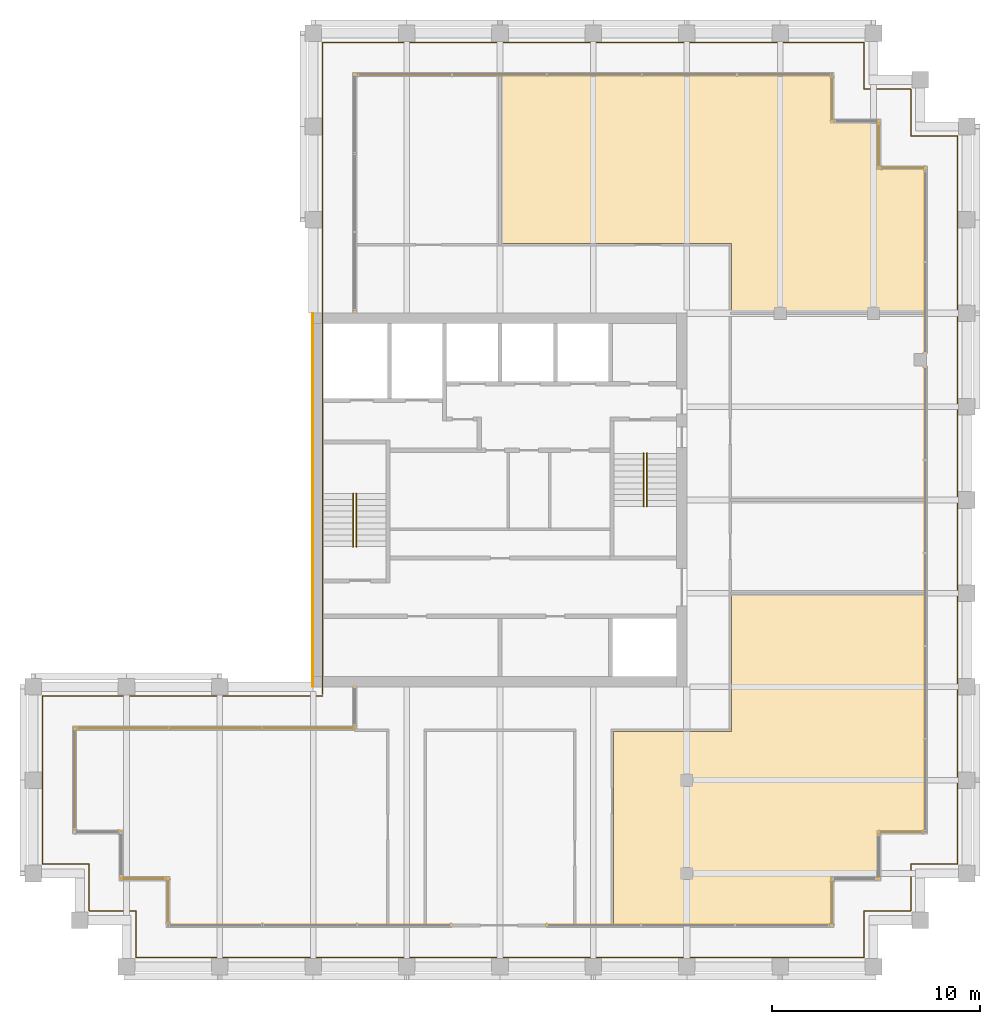
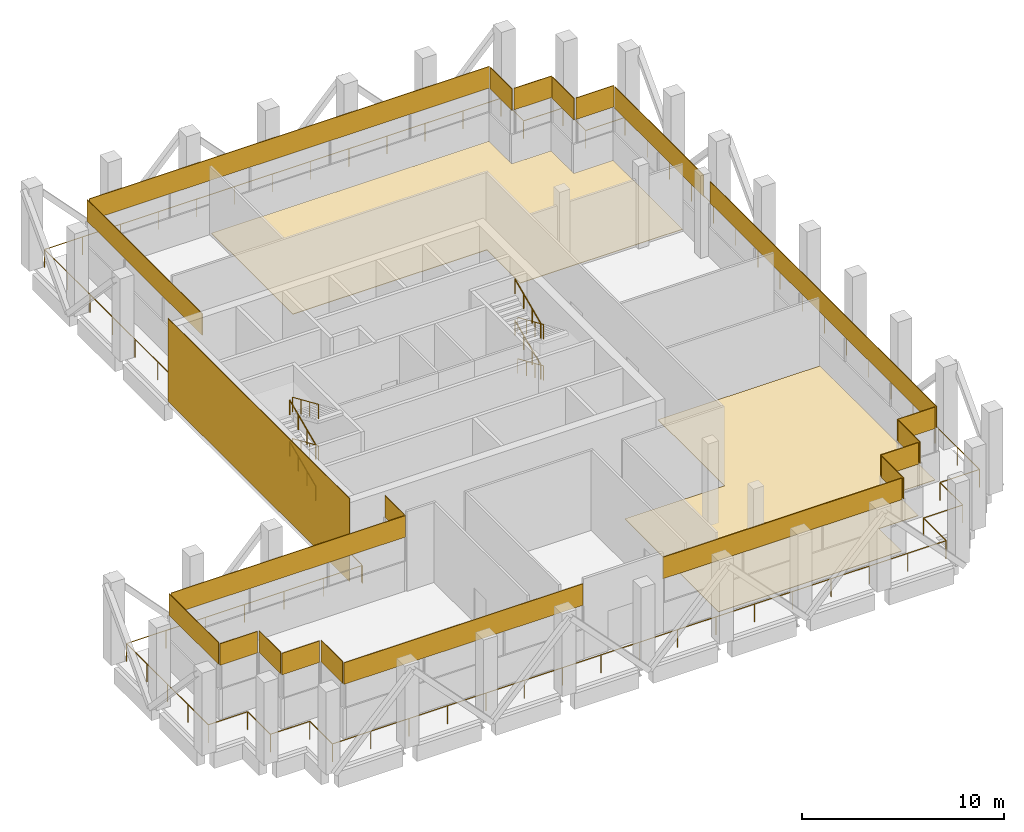
# One storey, part 21 of 21: 24 coverings, 9 railings.
"""IFC4 building model written with IfcOpenShell, lengths in metres."""

from ifc_helpers import new_model, si_unit, direction, frame, origin, origin_2d, place, context, subcontext, project, spatial, polyline, rectangle, circle, outline, extrude, source, transform, mapped, material, layer, layer_set, type_object, element, save


model = new_model("IFC4")

# Units and contexts
model_context = context("Model", 3, precision=1e-05, world=origin(), true_north=direction((0.0, 1.0)))
body_context = subcontext(model_context, "Body", "Model", "MODEL_VIEW")
ifc_project = project(units=[si_unit("LENGTHUNIT", "METRE"), si_unit("AREAUNIT", "SQUARE_METRE"), si_unit("VOLUMEUNIT", "CUBIC_METRE"), si_unit("PLANEANGLEUNIT", "RADIAN"), si_unit("MASSUNIT", "GRAM", prefix="KILO")], contexts=[model_context])

# Site, building, storey
site_placement = place(None, origin())
site = spatial("IfcSite", under=ifc_project, at=site_placement, CompositionType="ELEMENT")
building_placement = place(site_placement, origin())
building = spatial("IfcBuilding", under=site, at=building_placement, Name="Altepetl Exchange Towers", CompositionType="ELEMENT")
storey_placement = place(building_placement, frame((0.0, 0.0, 246.0)))
storey = spatial("IfcBuildingStorey", under=building, at=storey_placement, Name="L63 Refuge", CompositionType="ELEMENT", Elevation=246.0)

# Coverings
ifc_material_1 = material(Name="Cantera stone", Category="masonry")
ifc_layer_1 = layer(ifc_material_1, 0.030029296875)
ifc_layer_set_1 = layer_set([ifc_layer_1], Name="Cantera stone")
covering_type_1 = type_object("IfcCoveringType", Name="Polished stone floor", PredefinedType="FLOORING", material=ifc_layer_set_1)
covering_1_placement = place(storey_placement, origin())
element("IfcCovering", 1, at=covering_1_placement, inside=storey, type_object=covering_type_1, Name="Refuge area floor finish A63.03", PredefinedType="FLOORING", context=body_context, shape_type="SweptSolid", body=[
    extrude(outline(polyline([(69.9375, 44.9375), (60.66259765625, 44.9375), (60.66259765625, 38.33740234375), (54.96240234375, 38.33740234375), (54.96240234375, 29.0625), (65.4375, 29.0625), (65.4375, 31.3125), (67.6875, 31.3125), (67.6875, 33.5625), (69.9375, 33.5625), (69.9375, 44.9375)])), origin(), (0.0, 0.0, 1.0), 0.030029296875),
])
covering_2_placement = place(storey_placement, origin())
element("IfcCovering", 2, at=covering_2_placement, inside=storey, type_object=covering_type_1, Name="Refuge area floor finish A63.06", PredefinedType="FLOORING", context=body_context, shape_type="SweptSolid", body=[
    extrude(outline(polyline([(69.9375, 58.5625), (69.9375, 65.4375), (67.6875, 65.4375), (67.6875, 67.6875), (65.4375, 67.6875), (65.4375, 69.9375), (49.5625, 69.9375), (49.5625, 61.862548828125), (60.66259765625, 61.862548828125), (60.66259765625, 58.5625), (69.9375, 58.5625)])), origin(), (0.0, 0.0, 1.0), 0.030029296875),
])
ifc_material_2 = material(Name="Cantera limestone cladding", Category="masonry")
ifc_layer_2 = layer(ifc_material_2, 0.0400390625)
ifc_layer_set_2 = layer_set([ifc_layer_2], Name="Cantera limestone cladding")
covering_type_2 = type_object("IfcCoveringType", Name="Stone panel 40 cantera", PredefinedType="CLADDING", material=ifc_layer_set_2)
covering_3_placement = place(storey_placement, frame((42.5, 39.550048828125, 3.2001953125), z_axis=(0.0, 0.0, 1.0), x_axis=(0.0, -1.0, 0.0)))
element("IfcCovering", 3, at=covering_3_placement, inside=storey, type_object=covering_type_2, Name="Stone cladding band", PredefinedType="CLADDING", context=body_context, shape_type="SweptSolid", body=[
    extrude(rectangle(XDim=1.89990234375, YDim=0.0400390625, at=origin_2d()), origin(), (0.0, 0.0, 1.0), 1.300048828125),
])
covering_4_placement = place(storey_placement, frame((35.800048828125, 38.5, 3.2001953125), z_axis=(0.0, 0.0, 1.0), x_axis=(-1.0, 0.0, 0.0)))
element("IfcCovering", 4, at=covering_4_placement, inside=storey, type_object=covering_type_2, Name="Stone cladding band", PredefinedType="CLADDING", context=body_context, shape_type="SweptSolid", body=[
    extrude(rectangle(XDim=13.39990234375, YDim=0.0400390625, at=origin_2d()), origin(), (0.0, 0.0, 1.0), 1.300048828125),
])
covering_5_placement = place(storey_placement, frame((29.0, 36.050048828125, 3.2001953125), z_axis=(0.0, 0.0, 1.0), x_axis=(0.0, -1.0, 0.0)))
element("IfcCovering", 5, at=covering_5_placement, inside=storey, type_object=covering_type_2, Name="Stone cladding band", PredefinedType="CLADDING", context=body_context, shape_type="SweptSolid", body=[
    extrude(rectangle(XDim=4.89990234375, YDim=0.0400390625, at=origin_2d()), origin(), (0.0, 0.0, 1.0), 1.300048828125),
])
covering_6_placement = place(storey_placement, frame((30.074951171875, 33.5, 3.2001953125)))
element("IfcCovering", 6, at=covering_6_placement, inside=storey, type_object=covering_type_2, Name="Stone cladding band", PredefinedType="CLADDING", context=body_context, shape_type="SweptSolid", body=[
    extrude(rectangle(XDim=2.14990234375, YDim=0.0400390625, at=origin_2d()), origin(), (0.0, 0.0, 1.0), 1.300048828125),
])
covering_7_placement = place(storey_placement, frame((31.25, 32.425048828125, 3.2001953125), z_axis=(0.0, 0.0, 1.0), x_axis=(0.0, -1.0, 0.0)))
element("IfcCovering", 7, at=covering_7_placement, inside=storey, type_object=covering_type_2, Name="Stone cladding band", PredefinedType="CLADDING", context=body_context, shape_type="SweptSolid", body=[
    extrude(rectangle(XDim=2.14990234375, YDim=0.0400390625, at=origin_2d()), origin(), (0.0, 0.0, 1.0), 1.300048828125),
])
covering_8_placement = place(storey_placement, frame((32.324951171875, 31.25, 3.2001953125)))
element("IfcCovering", 8, at=covering_8_placement, inside=storey, type_object=covering_type_2, Name="Stone cladding band", PredefinedType="CLADDING", context=body_context, shape_type="SweptSolid", body=[
    extrude(rectangle(XDim=2.14990234375, YDim=0.0400390625, at=origin_2d()), origin(), (0.0, 0.0, 1.0), 1.300048828125),
])
covering_9_placement = place(storey_placement, frame((33.5, 30.175048828125, 3.2001953125), z_axis=(0.0, 0.0, 1.0), x_axis=(0.0, -1.0, 0.0)))
element("IfcCovering", 9, at=covering_9_placement, inside=storey, type_object=covering_type_2, Name="Stone cladding band", PredefinedType="CLADDING", context=body_context, shape_type="SweptSolid", body=[
    extrude(rectangle(XDim=2.14990234375, YDim=0.0400390625, at=origin_2d()), origin(), (0.0, 0.0, 1.0), 1.300048828125),
])
for number, where, name in (
    (10, (40.335693359375, 29.0, 3.2001953125), "Stone cladding band"),
    (11, (58.564208984375, 29.0, 3.2001953125), "Stone cladding band"),
):
    element("IfcCovering", number, at=place(storey_placement, frame(where)), inside=storey, type_object=covering_type_2, Name=name, PredefinedType="CLADDING", context=body_context, shape_type="SweptSolid", body=[
        extrude(rectangle(XDim=13.67138671875, YDim=0.0400390625, at=origin_2d()), origin(), (0.0, 0.0, 1.0), 1.300048828125),
    ])
covering_10_placement = place(storey_placement, frame((65.5, 30.074951171875, 3.2001953125), z_axis=(0.0, 0.0, 1.0), x_axis=(0.0, 1.0, 0.0)))
element("IfcCovering", 12, at=covering_10_placement, inside=storey, type_object=covering_type_2, Name="Stone cladding band", PredefinedType="CLADDING", context=body_context, shape_type="SweptSolid", body=[
    extrude(rectangle(XDim=2.14990234375, YDim=0.0400390625, at=origin_2d()), origin(), (0.0, 0.0, 1.0), 1.300048828125),
])
covering_11_placement = place(storey_placement, frame((66.574951171875, 31.25, 3.2001953125)))
element("IfcCovering", 13, at=covering_11_placement, inside=storey, type_object=covering_type_2, Name="Stone cladding band", PredefinedType="CLADDING", context=body_context, shape_type="SweptSolid", body=[
    extrude(rectangle(XDim=2.14990234375, YDim=0.0400390625, at=origin_2d()), origin(), (0.0, 0.0, 1.0), 1.300048828125),
])
covering_12_placement = place(storey_placement, frame((67.75, 32.324951171875, 3.2001953125), z_axis=(0.0, 0.0, 1.0), x_axis=(0.0, 1.0, 0.0)))
element("IfcCovering", 14, at=covering_12_placement, inside=storey, type_object=covering_type_2, Name="Stone cladding band", PredefinedType="CLADDING", context=body_context, shape_type="SweptSolid", body=[
    extrude(rectangle(XDim=2.14990234375, YDim=0.0400390625, at=origin_2d()), origin(), (0.0, 0.0, 1.0), 1.300048828125),
])
covering_13_placement = place(storey_placement, frame((68.824951171875, 33.5, 3.2001953125)))
element("IfcCovering", 15, at=covering_13_placement, inside=storey, type_object=covering_type_2, Name="Stone cladding band", PredefinedType="CLADDING", context=body_context, shape_type="SweptSolid", body=[
    extrude(rectangle(XDim=2.14990234375, YDim=0.0400390625, at=origin_2d()), origin(), (0.0, 0.0, 1.0), 1.300048828125),
])
covering_14_placement = place(storey_placement, frame((70.0, 44.715087890625, 3.2001953125), z_axis=(0.0, 0.0, 1.0), x_axis=(0.0, 1.0, 0.0)))
element("IfcCovering", 16, at=covering_14_placement, inside=storey, type_object=covering_type_2, Name="Stone cladding band", PredefinedType="CLADDING", context=body_context, shape_type="SweptSolid", body=[
    extrude(rectangle(XDim=22.429931640625, YDim=0.0400390625, at=origin_2d()), origin(), (0.0, 0.0, 1.0), 1.300048828125),
])
covering_15_placement = place(storey_placement, frame((70.0, 60.985107421875, 3.2001953125), z_axis=(0.0, 0.0, 1.0), x_axis=(0.0, 1.0, 0.0)))
element("IfcCovering", 17, at=covering_15_placement, inside=storey, type_object=covering_type_2, Name="Stone cladding band", PredefinedType="CLADDING", context=body_context, shape_type="SweptSolid", body=[
    extrude(rectangle(XDim=8.830078125, YDim=0.0400390625, at=origin_2d()), origin(), (0.0, 0.0, 1.0), 1.300048828125),
])
for number, where, z_axis, x_axis, name in (
    (18, (68.925048828125, 65.5, 3.2001953125), (0.0, 0.0, 1.0), (-1.0, 0.0, 0.0), "Stone cladding band"),
    (19, (67.75, 66.574951171875, 3.2001953125), (0.0, 0.0, 1.0), (0.0, 1.0, 0.0), "Stone cladding band"),
    (20, (66.675048828125, 67.75, 3.2001953125), (0.0, 0.0, 1.0), (-1.0, 0.0, 0.0), "Stone cladding band"),
    (21, (65.5, 68.824951171875, 3.2001953125), (0.0, 0.0, 1.0), (0.0, 1.0, 0.0), "Stone cladding band"),
):
    element("IfcCovering", number, at=place(storey_placement, frame(where, z_axis=z_axis, x_axis=x_axis)), inside=storey, type_object=covering_type_2, Name=name, PredefinedType="CLADDING", context=body_context, shape_type="SweptSolid", body=[
        extrude(rectangle(XDim=2.14990234375, YDim=0.0400390625, at=origin_2d()), origin(), (0.0, 0.0, 1.0), 1.300048828125),
    ])
covering_16_placement = place(storey_placement, frame((54.050048828125, 70.0, 3.2001953125), z_axis=(0.0, 0.0, 1.0), x_axis=(-1.0, 0.0, 0.0)))
element("IfcCovering", 22, at=covering_16_placement, inside=storey, type_object=covering_type_2, Name="Stone cladding band", PredefinedType="CLADDING", context=body_context, shape_type="SweptSolid", body=[
    extrude(rectangle(XDim=22.89990234375, YDim=0.0400390625, at=origin_2d()), origin(), (0.0, 0.0, 1.0), 1.300048828125),
])
covering_17_placement = place(storey_placement, frame((42.5, 64.300048828125, 3.2001953125), z_axis=(0.0, 0.0, 1.0), x_axis=(0.0, -1.0, 0.0)))
element("IfcCovering", 23, at=covering_17_placement, inside=storey, type_object=covering_type_2, Name="Stone cladding band", PredefinedType="CLADDING", context=body_context, shape_type="SweptSolid", body=[
    extrude(rectangle(XDim=11.39990234375, YDim=0.0400390625, at=origin_2d()), origin(), (0.0, 0.0, 1.0), 1.300048828125),
])
covering_18_placement = place(storey_placement, frame((40.47998046875, 49.5, 0.0), z_axis=(0.0, 0.0, 1.0), x_axis=(0.0, -1.0, 0.0)))
element("IfcCovering", 24, at=covering_18_placement, inside=storey, type_object=covering_type_2, Name="Stone cladding panel", PredefinedType="CLADDING", context=body_context, shape_type="SweptSolid", body=[
    extrude(rectangle(XDim=18.0, YDim=0.0400390625, at=origin_2d()), origin(), (0.0, 0.0, 1.0), 5.0),
])

# Railings
ifc_material_3 = material(Name="Steel S355", Category="steel")
railing_type_1 = type_object("IfcRailingType", Name="Guard 1100 steel posts and rail", PredefinedType="GUARDRAIL", material=ifc_material_3)
shared_shape_1 = source(origin(), body_context, "Body", "SweptSolid", [
    extrude(circle(Radius=0.02099609375, at=origin_2d()), origin(), (0.0, 0.0, 1.0), 1.052001953125),
])
railing_1_placement = place(storey_placement, frame((40.949951171875, 40.050048828125, 0.0)))
element("IfcRailing", 25, at=railing_1_placement, inside=storey, type_object=railing_type_1, Name="Loggia guard", PredefinedType="GUARDRAIL", context=body_context, shape_type="SweptSolid", body=[
    extrude(circle(Radius=0.02392578125, at=origin_2d()), frame((0.0, 0.0, 1.076171875), z_axis=(-1.0, 0.0, 0.0), x_axis=(0.0, -1.0, 0.0)), (0.0, 0.0, 1.0), 13.5),
    extrude(circle(Radius=0.02392578125, at=origin_2d()), frame((-13.5, 0.0, 1.076171875), z_axis=(0.0, -1.0, 0.0), x_axis=(1.0, 0.0, 0.0)), (0.0, 0.0, 1.0), 8.10009765625),
    extrude(circle(Radius=0.02392578125, at=origin_2d()), frame((-13.5, -8.10009765625, 1.076171875), z_axis=(1.0, 0.0, 0.0), x_axis=(0.0, 1.0, 0.0)), (0.0, 0.0, 1.0), 2.25),
    extrude(circle(Radius=0.02392578125, at=origin_2d()), frame((-11.25, -8.10009765625, 1.076171875), z_axis=(0.0, -1.0, 0.0), x_axis=(1.0, 0.0, 0.0)), (0.0, 0.0, 1.0), 2.25),
    extrude(circle(Radius=0.02392578125, at=origin_2d()), frame((-11.25, -10.35009765625, 1.076171875), z_axis=(1.0, 0.0, 0.0), x_axis=(0.0, 1.0, 0.0)), (0.0, 0.0, 1.0), 2.25),
    extrude(circle(Radius=0.02392578125, at=origin_2d()), frame((-9.0, -10.35009765625, 1.076171875), z_axis=(0.0, -1.0, 0.0), x_axis=(1.0, 0.0, 0.0)), (0.0, 0.0, 1.0), 2.25),
    extrude(circle(Radius=0.02392578125, at=origin_2d()), frame((-9.0, -12.60009765625, 1.076171875), z_axis=(1.0, 0.0, 0.0), x_axis=(0.0, 1.0, 0.0)), (0.0, 0.0, 1.0), 35.10009765625),
    extrude(circle(Radius=0.02392578125, at=origin_2d()), frame((26.10009765625, -12.60009765625, 1.076171875), z_axis=(0.0, 1.0, 0.0), x_axis=(-1.0, 0.0, 0.0)), (0.0, 0.0, 1.0), 2.25),
    extrude(circle(Radius=0.02392578125, at=origin_2d()), frame((26.10009765625, -10.35009765625, 1.076171875), z_axis=(1.0, 0.0, 0.0), x_axis=(0.0, 1.0, 0.0)), (0.0, 0.0, 1.0), 2.25),
    extrude(circle(Radius=0.02392578125, at=origin_2d()), frame((28.35009765625, -10.35009765625, 1.076171875), z_axis=(0.0, 1.0, 0.0), x_axis=(-1.0, 0.0, 0.0)), (0.0, 0.0, 1.0), 2.25),
    extrude(circle(Radius=0.02392578125, at=origin_2d()), frame((28.35009765625, -8.10009765625, 1.076171875), z_axis=(1.0, 0.0, 0.0), x_axis=(0.0, 1.0, 0.0)), (0.0, 0.0, 1.0), 2.25),
    extrude(circle(Radius=0.02392578125, at=origin_2d()), frame((30.60009765625, -8.10009765625, 1.076171875), z_axis=(0.0, 1.0, 0.0), x_axis=(-1.0, 0.0, 0.0)), (0.0, 0.0, 1.0), 35.10009765625),
    extrude(circle(Radius=0.02392578125, at=origin_2d()), frame((30.60009765625, 27.0, 1.076171875), z_axis=(-1.0, 0.0, 0.0), x_axis=(0.0, -1.0, 0.0)), (0.0, 0.0, 1.0), 2.25),
    extrude(circle(Radius=0.02392578125, at=origin_2d()), frame((28.35009765625, 27.0, 1.076171875), z_axis=(0.0, 1.0, 0.0), x_axis=(-1.0, 0.0, 0.0)), (0.0, 0.0, 1.0), 2.25),
    extrude(circle(Radius=0.02392578125, at=origin_2d()), frame((28.35009765625, 29.25, 1.076171875), z_axis=(-1.0, 0.0, 0.0), x_axis=(0.0, -1.0, 0.0)), (0.0, 0.0, 1.0), 2.25),
    extrude(circle(Radius=0.02392578125, at=origin_2d()), frame((26.10009765625, 29.25, 1.076171875), z_axis=(0.0, 1.0, 0.0), x_axis=(-1.0, 0.0, 0.0)), (0.0, 0.0, 1.0), 2.25),
    extrude(circle(Radius=0.02392578125, at=origin_2d()), frame((26.10009765625, 31.5, 1.076171875), z_axis=(-1.0, 0.0, 0.0), x_axis=(0.0, -1.0, 0.0)), (0.0, 0.0, 1.0), 26.10009765625),
    extrude(circle(Radius=0.02392578125, at=origin_2d()), frame((0.0, 31.5, 1.076171875), z_axis=(0.0, -1.0, 0.0), x_axis=(1.0, 0.0, 0.0)), (0.0, 0.0, 1.0), 31.400146484375),
    mapped(shared_shape_1, transform((0.0, 0.0, 0.0))),
    mapped(shared_shape_1, transform((-2.25, 0.0, 0.0))),
    mapped(shared_shape_1, transform((-4.5, 0.0, 0.0))),
    mapped(shared_shape_1, transform((-6.75, 0.0, 0.0))),
    mapped(shared_shape_1, transform((-9.0, 0.0, 0.0))),
    mapped(shared_shape_1, transform((-11.25, 0.0, 0.0))),
    mapped(shared_shape_1, transform((-13.5, 0.0, 0.0))),
    mapped(shared_shape_1, transform((-13.5, -2.02490234375, 0.0))),
    mapped(shared_shape_1, transform((-13.5, -4.050048828125, 0.0))),
    mapped(shared_shape_1, transform((-13.5, -6.0751953125, 0.0))),
    mapped(shared_shape_1, transform((-13.5, -8.10009765625, 0.0))),
    mapped(shared_shape_1, transform((-11.25, -8.10009765625, 0.0))),
    mapped(shared_shape_1, transform((-11.25, -10.35009765625, 0.0))),
    mapped(shared_shape_1, transform((-9.0, -10.35009765625, 0.0))),
    mapped(shared_shape_1, transform((-9.0, -12.60009765625, 0.0))),
    mapped(shared_shape_1, transform((-6.80615234375, -12.60009765625, 0.0))),
    mapped(shared_shape_1, transform((-4.612548828125, -12.60009765625, 0.0))),
    mapped(shared_shape_1, transform((-2.418701171875, -12.60009765625, 0.0))),
    mapped(shared_shape_1, transform((-0.22509765625, -12.60009765625, 0.0))),
    mapped(shared_shape_1, transform((1.96875, -12.60009765625, 0.0))),
    mapped(shared_shape_1, transform((4.16259765625, -12.60009765625, 0.0))),
    mapped(shared_shape_1, transform((6.356201171875, -12.60009765625, 0.0))),
    mapped(shared_shape_1, transform((8.550048828125, -12.60009765625, 0.0))),
    mapped(shared_shape_1, transform((10.743896484375, -12.60009765625, 0.0))),
    mapped(shared_shape_1, transform((12.9375, -12.60009765625, 0.0))),
    mapped(shared_shape_1, transform((15.13134765625, -12.60009765625, 0.0))),
    mapped(shared_shape_1, transform((17.3251953125, -12.60009765625, 0.0))),
    mapped(shared_shape_1, transform((19.518798828125, -12.60009765625, 0.0))),
    mapped(shared_shape_1, transform((21.712646484375, -12.60009765625, 0.0))),
    mapped(shared_shape_1, transform((23.90625, -12.60009765625, 0.0))),
    mapped(shared_shape_1, transform((26.10009765625, -12.60009765625, 0.0))),
    mapped(shared_shape_1, transform((26.10009765625, -10.35009765625, 0.0))),
    mapped(shared_shape_1, transform((28.35009765625, -10.35009765625, 0.0))),
    mapped(shared_shape_1, transform((28.35009765625, -8.10009765625, 0.0))),
    mapped(shared_shape_1, transform((30.60009765625, -8.10009765625, 0.0))),
    mapped(shared_shape_1, transform((30.60009765625, -5.90625, 0.0))),
    mapped(shared_shape_1, transform((30.60009765625, -3.712646484375, 0.0))),
    mapped(shared_shape_1, transform((30.60009765625, -1.518798828125, 0.0))),
    mapped(shared_shape_1, transform((30.60009765625, 0.6748046875, 0.0))),
    mapped(shared_shape_1, transform((30.60009765625, 2.86865234375, 0.0))),
    mapped(shared_shape_1, transform((30.60009765625, 5.0625, 0.0))),
    mapped(shared_shape_1, transform((30.60009765625, 7.256103515625, 0.0))),
    mapped(shared_shape_1, transform((30.60009765625, 9.449951171875, 0.0))),
    mapped(shared_shape_1, transform((30.60009765625, 11.643798828125, 0.0))),
    mapped(shared_shape_1, transform((30.60009765625, 13.83740234375, 0.0))),
    mapped(shared_shape_1, transform((30.60009765625, 16.03125, 0.0))),
    mapped(shared_shape_1, transform((30.60009765625, 18.22509765625, 0.0))),
    mapped(shared_shape_1, transform((30.60009765625, 20.418701171875, 0.0))),
    mapped(shared_shape_1, transform((30.60009765625, 22.612548828125, 0.0))),
    mapped(shared_shape_1, transform((30.60009765625, 24.80615234375, 0.0))),
    mapped(shared_shape_1, transform((30.60009765625, 27.0, 0.0))),
    mapped(shared_shape_1, transform((28.35009765625, 27.0, 0.0))),
    mapped(shared_shape_1, transform((28.35009765625, 29.25, 0.0))),
    mapped(shared_shape_1, transform((26.10009765625, 29.25, 0.0))),
    mapped(shared_shape_1, transform((26.10009765625, 31.5, 0.0))),
    mapped(shared_shape_1, transform((23.925048828125, 31.5, 0.0))),
    mapped(shared_shape_1, transform((21.75, 31.5, 0.0))),
    mapped(shared_shape_1, transform((19.5751953125, 31.5, 0.0))),
    mapped(shared_shape_1, transform((17.400146484375, 31.5, 0.0))),
    mapped(shared_shape_1, transform((15.22509765625, 31.5, 0.0))),
    mapped(shared_shape_1, transform((13.050048828125, 31.5, 0.0))),
    mapped(shared_shape_1, transform((10.875, 31.5, 0.0))),
    mapped(shared_shape_1, transform((8.699951171875, 31.5, 0.0))),
    mapped(shared_shape_1, transform((6.52490234375, 31.5, 0.0))),
    mapped(shared_shape_1, transform((4.35009765625, 31.5, 0.0))),
    mapped(shared_shape_1, transform((2.175048828125, 31.5, 0.0))),
    mapped(shared_shape_1, transform((0.0, 31.5, 0.0))),
    mapped(shared_shape_1, transform((0.0, 29.257080078125, 0.0))),
    mapped(shared_shape_1, transform((0.0, 27.01416015625, 0.0))),
    mapped(shared_shape_1, transform((0.0, 24.771484375, 0.0))),
    mapped(shared_shape_1, transform((0.0, 22.528564453125, 0.0))),
    mapped(shared_shape_1, transform((0.0, 20.28564453125, 0.0))),
    mapped(shared_shape_1, transform((0.0, 18.042724609375, 0.0))),
    mapped(shared_shape_1, transform((0.0, 15.7998046875, 0.0))),
    mapped(shared_shape_1, transform((0.0, 13.55712890625, 0.0))),
    mapped(shared_shape_1, transform((0.0, 11.314208984375, 0.0))),
    mapped(shared_shape_1, transform((0.0, 9.0712890625, 0.0))),
    mapped(shared_shape_1, transform((0.0, 6.828369140625, 0.0))),
    mapped(shared_shape_1, transform((0.0, 4.585693359375, 0.0))),
    mapped(shared_shape_1, transform((0.0, 2.3427734375, 0.0))),
    mapped(shared_shape_1, transform((0.0, 0.099853515625, 0.0))),
])
ifc_material_4 = material(Name="Steel", Category="steel")
railing_type_2 = type_object("IfcRailingType", Name="Stair handrail 50 steel tube", PredefinedType="HANDRAIL", material=ifc_material_4)
shared_shape_2 = source(origin(), body_context, "Body", "SweptSolid", [
    extrude(circle(Radius=0.02099609375, at=origin_2d()), origin(), (0.0, 0.0, 1.0), 0.851806640625),
])
railing_2_placement = place(storey_placement, frame((42.419921875, 47.25, 0.125)))
element("IfcRailing", 26, at=railing_2_placement, inside=storey, type_object=railing_type_2, Name="Stair handrail", PredefinedType="HANDRAIL", context=body_context, shape_type="SweptSolid", body=[
    extrude(circle(Radius=0.02392578125, at=origin_2d()), frame((0.0, 0.0, 0.8759765625), z_axis=(0.0, 0.915784833653, 0.401669190317), x_axis=(-1.0, 0.0, 0.0)), (0.0, 0.0, 1.0), 2.80078125),
    mapped(shared_shape_2, transform((0.0, 0.0, 0.0))),
    mapped(shared_shape_2, transform((0.0, 0.85498046875, 0.375))),
    mapped(shared_shape_2, transform((0.0, 1.7099609375, 0.75))),
    mapped(shared_shape_2, transform((0.0, 2.56494140625, 1.125))),
])
railing_3_placement = place(storey_placement, frame((42.580078125, 49.81494140625, 1.375)))
element("IfcRailing", 27, at=railing_3_placement, inside=storey, type_object=railing_type_2, Name="Stair handrail", PredefinedType="HANDRAIL", context=body_context, shape_type="SweptSolid", body=[
    extrude(circle(Radius=0.02392578125, at=origin_2d()), frame((0.0, 0.0, 0.8759765625), z_axis=(0.0, -0.915784833653, 0.401669190317), x_axis=(1.0, 0.0, 0.0)), (0.0, 0.0, 1.0), 2.80078125),
    mapped(shared_shape_2, transform((0.0, 0.0, 0.0))),
    mapped(shared_shape_2, transform((0.0, -0.85498046875, 0.375))),
    mapped(shared_shape_2, transform((0.0, -1.7099609375, 0.75))),
    mapped(shared_shape_2, transform((0.0, -2.56494140625, 1.125))),
])
railing_4_placement = place(storey_placement, frame((42.419921875, 47.25, 2.625)))
element("IfcRailing", 28, at=railing_4_placement, inside=storey, type_object=railing_type_2, Name="Stair handrail", PredefinedType="HANDRAIL", context=body_context, shape_type="SweptSolid", body=[
    extrude(circle(Radius=0.02392578125, at=origin_2d()), frame((0.0, 0.0, 0.8759765625), z_axis=(0.0, 0.915784833653, 0.401669190317), x_axis=(-1.0, 0.0, 0.0)), (0.0, 0.0, 1.0), 2.80078125),
    mapped(shared_shape_2, transform((0.0, 0.0, 0.0))),
    mapped(shared_shape_2, transform((0.0, 0.85498046875, 0.375))),
    mapped(shared_shape_2, transform((0.0, 1.7099609375, 0.75))),
    mapped(shared_shape_2, transform((0.0, 2.56494140625, 1.125))),
])
for number, where, name in (
    (29, (42.580078125, 49.81494140625, 3.875), "Stair handrail"),
    (30, (56.580078125, 51.75, 0.125), "Stair handrail"),
):
    element("IfcRailing", number, at=place(storey_placement, frame(where)), inside=storey, type_object=railing_type_2, Name=name, PredefinedType="HANDRAIL", context=body_context, shape_type="SweptSolid", body=[
        extrude(circle(Radius=0.02392578125, at=origin_2d()), frame((0.0, 0.0, 0.8759765625), z_axis=(0.0, -0.915784833653, 0.401669190317), x_axis=(1.0, 0.0, 0.0)), (0.0, 0.0, 1.0), 2.80078125),
        mapped(shared_shape_2, transform((0.0, 0.0, 0.0))),
        mapped(shared_shape_2, transform((0.0, -0.85498046875, 0.375))),
        mapped(shared_shape_2, transform((0.0, -1.7099609375, 0.75))),
        mapped(shared_shape_2, transform((0.0, -2.56494140625, 1.125))),
    ])
railing_5_placement = place(storey_placement, frame((56.419921875, 49.18505859375, 1.375)))
element("IfcRailing", 31, at=railing_5_placement, inside=storey, type_object=railing_type_2, Name="Stair handrail", PredefinedType="HANDRAIL", context=body_context, shape_type="SweptSolid", body=[
    extrude(circle(Radius=0.02392578125, at=origin_2d()), frame((0.0, 0.0, 0.8759765625), z_axis=(0.0, 0.915784833653, 0.401669190317), x_axis=(-1.0, 0.0, 0.0)), (0.0, 0.0, 1.0), 2.80078125),
    mapped(shared_shape_2, transform((0.0, 0.0, 0.0))),
    mapped(shared_shape_2, transform((0.0, 0.85498046875, 0.375))),
    mapped(shared_shape_2, transform((0.0, 1.7099609375, 0.75))),
    mapped(shared_shape_2, transform((0.0, 2.56494140625, 1.125))),
])
railing_6_placement = place(storey_placement, frame((56.580078125, 51.75, 2.625)))
element("IfcRailing", 32, at=railing_6_placement, inside=storey, type_object=railing_type_2, Name="Stair handrail", PredefinedType="HANDRAIL", context=body_context, shape_type="SweptSolid", body=[
    extrude(circle(Radius=0.02392578125, at=origin_2d()), frame((0.0, 0.0, 0.8759765625), z_axis=(0.0, -0.915784833653, 0.401669190317), x_axis=(1.0, 0.0, 0.0)), (0.0, 0.0, 1.0), 2.80078125),
    mapped(shared_shape_2, transform((0.0, 0.0, 0.0))),
    mapped(shared_shape_2, transform((0.0, -0.85498046875, 0.375))),
    mapped(shared_shape_2, transform((0.0, -1.7099609375, 0.75))),
    mapped(shared_shape_2, transform((0.0, -2.56494140625, 1.125))),
])
railing_7_placement = place(storey_placement, frame((56.419921875, 49.18505859375, 3.875)))
element("IfcRailing", 33, at=railing_7_placement, inside=storey, type_object=railing_type_2, Name="Stair handrail", PredefinedType="HANDRAIL", context=body_context, shape_type="SweptSolid", body=[
    extrude(circle(Radius=0.02392578125, at=origin_2d()), frame((0.0, 0.0, 0.8759765625), z_axis=(0.0, 0.915784833653, 0.401669190317), x_axis=(-1.0, 0.0, 0.0)), (0.0, 0.0, 1.0), 2.80078125),
    mapped(shared_shape_2, transform((0.0, 0.0, 0.0))),
    mapped(shared_shape_2, transform((0.0, 0.85498046875, 0.375))),
    mapped(shared_shape_2, transform((0.0, 1.7099609375, 0.75))),
    mapped(shared_shape_2, transform((0.0, 2.56494140625, 1.125))),
])

save(model, "model.ifc")
